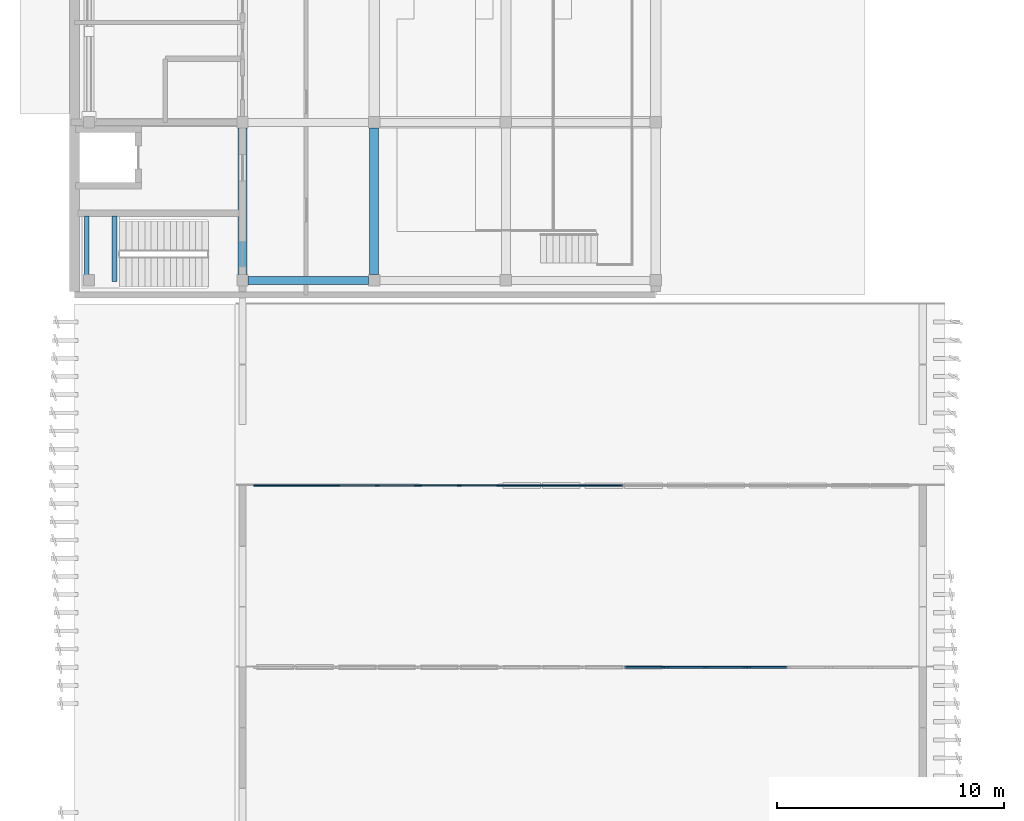
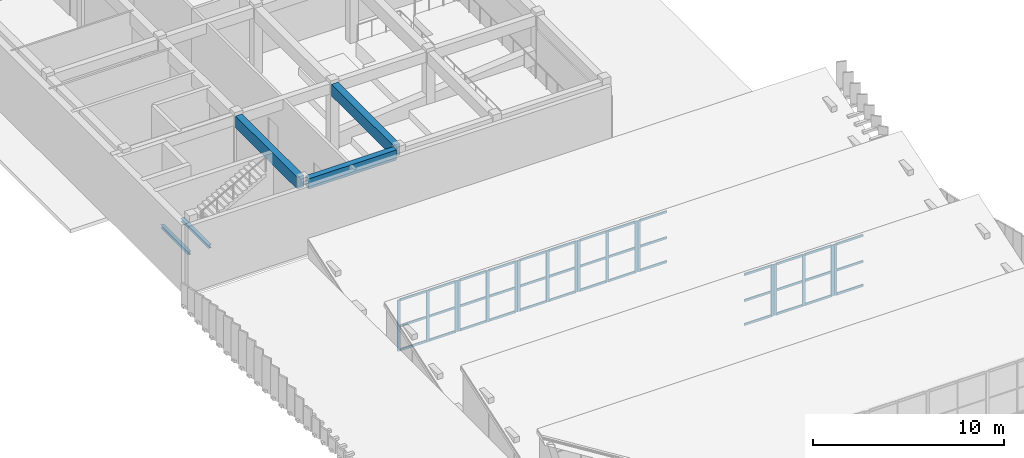
# One storey, part 9 of 45: 57 members, 5 beams, 8 elements without a shape of their own.
"""IFC4 building model written with IfcOpenShell, lengths in metres."""

from ifc_helpers import new_model, si_unit, direction, frame, origin, origin_2d, place, context, subcontext, project, spatial, rectangle, i_section, extrude, material, layer, layer_set, material_profile, profile_set, type_object, element, aggregate, save


model = new_model("IFC4")

# Units and contexts
model_context = context("Model", 3, precision=1e-05, world=origin(), true_north=direction((0.0, 1.0)))
body_context = subcontext(model_context, "Body", "Model", "MODEL_VIEW")
ifc_project = project(units=[si_unit("LENGTHUNIT", "METRE"), si_unit("AREAUNIT", "SQUARE_METRE"), si_unit("VOLUMEUNIT", "CUBIC_METRE"), si_unit("PLANEANGLEUNIT", "RADIAN"), si_unit("MASSUNIT", "GRAM", prefix="KILO")], contexts=[model_context])

# Site, building, storey
site_placement = place(None, origin())
site = spatial("IfcSite", under=ifc_project, at=site_placement, CompositionType="ELEMENT")
building_placement = place(site_placement, origin())
building = spatial("IfcBuilding", under=site, at=building_placement, Name="Cinchona Park Media Centre", CompositionType="ELEMENT")
storey_placement = place(building_placement, frame((0.0, 0.0, 20.39990234375)))
storey = spatial("IfcBuildingStorey", under=building, at=storey_placement, Name="L04", CompositionType="ELEMENT", Elevation=20.39990234375)

# Beams
ifc_material_1 = material(Name="Concrete C35/45", Category="concrete")
ifc_material_profile_1 = material_profile(ifc_material_1, rectangle(XDim=0.39990234375, YDim=0.75, at=origin_2d()), Name="RB 400X750")
ifc_profile_set_1 = profile_set([ifc_material_profile_1], Name="Concrete C35/45")
beam_type_1 = type_object("IfcBeamType", Name="BEAM-B01-RB400X750", PredefinedType="BEAM", material=ifc_profile_set_1)
for number, where, z_axis, x_axis, name in (
    (1, (15.39990234375, 64.889892578125, 3.905029296875), (0.0, 1.0, 0.0), (-1.0, 0.0, 0.0), "Girder B01 L04"),
    (2, (21.199951171875, 64.889892578125, 3.905029296875), (0.0, 1.0, 0.0), (-1.0, 0.0, 0.0), "Girder B01 L04"),
):
    element("IfcBeam", number, at=place(storey_placement, frame(where, z_axis=z_axis, x_axis=x_axis)), inside=storey, type_object=beam_type_1, Name=name, PredefinedType="BEAM", context=body_context, shape_type="SweptSolid", body=[
        extrude(rectangle(XDim=0.39990234375, YDim=0.75, at=origin_2d()), origin(), (0.0, 0.0, 1.0), 6.460205078125),
    ])
ifc_material_2 = material(Name="Concrete C35/45", Category="concrete")
ifc_material_profile_2 = material_profile(ifc_material_2, rectangle(XDim=0.35009765625, YDim=0.64990234375, at=origin_2d()), Name="RB 350X650")
ifc_profile_set_2 = profile_set([ifc_material_profile_2], Name="Concrete C35/45")
beam_type_2 = type_object("IfcBeamType", Name="BEAM-B04-RB350X650", PredefinedType="BEAM", material=ifc_profile_set_2)
beam_placement = place(storey_placement, frame((15.64990234375, 64.639892578125, 3.955078125), z_axis=(1.0, 0.0, 0.0), x_axis=(0.0, 1.0, 0.0)))
element("IfcBeam", 3, at=beam_placement, inside=storey, type_object=beam_type_2, Name="Beam B04 L04", PredefinedType="BEAM", context=body_context, shape_type="SweptSolid", body=[
    extrude(rectangle(XDim=0.35009765625, YDim=0.64990234375, at=origin_2d()), origin(), (0.0, 0.0, 1.0), 5.300048828125),
])
ifc_material_3 = material(Name="Steel S355", Category="steel")
ifc_material_profile_3 = material_profile(ifc_material_3, i_section(OverallWidth=0.202880859375, OverallDepth=0.202880859375, WebThickness=0.007080078125, FlangeThickness=0.010986328125, at=origin_2d()), Name="W200X46")
ifc_profile_set_3 = profile_set([ifc_material_profile_3], Name="Steel S355")
beam_type_3 = type_object("IfcBeamType", Name="BEAM-B10-W200X46", PredefinedType="BEAM", material=ifc_profile_set_3)
for number, where, z_axis, x_axis, name in (
    (4, (8.5400390625, 67.47509765625, 1.95361328125), (0.0, -1.0, 0.0), (1.0, 0.0, 0.0), "Stair Landing Bearer Beam B10 ST3 L04"),
    (5, (9.760009765625, 67.47509765625, 1.95361328125), (0.0, -1.0, 0.0), (1.0, 0.0, 0.0), "Stair Landing Bearer Beam B10 ST3 L04"),
):
    element("IfcBeam", number, at=place(storey_placement, frame(where, z_axis=z_axis, x_axis=x_axis)), inside=storey, type_object=beam_type_3, Name=name, PredefinedType="BEAM", context=body_context, shape_type="SweptSolid", body=[
        extrude(i_section(OverallWidth=0.202880859375, OverallDepth=0.202880859375, WebThickness=0.007080078125, FlangeThickness=0.010986328125, at=origin_2d()), origin(), (0.0, 0.0, 1.0), 2.875),
    ])

# Curtain wall, member
ifc_material_4 = material(Name="Aluminium Curtain Wall Framing", Category="aluminium")
ifc_layer = layer(ifc_material_4, 0.31494140625)
ifc_layer_set = layer_set([ifc_layer], Name="Aluminium Curtain Wall Framing")
curtain_wall_type = type_object("IfcCurtainWallType", Name="CW-CW10", PredefinedType="USERDEFINED", material=ifc_layer_set)
curtain_wall_1_placement = place(storey_placement, origin())
curtain_wall_1 = element("IfcCurtainWall", 6, at=curtain_wall_1_placement, inside=storey, type_object=curtain_wall_type, Name="North-Light Sawtooth Clerestory V1 Bay 5.2 CW10 L04", ObjectType="UNITISED CURTAIN WALL", PredefinedType="USERDEFINED")
ifc_material_5 = material(Name="Anodised Aluminium Alloy 6063-T6", Category="aluminium")
ifc_material_profile_4 = material_profile(ifc_material_5, rectangle(XDim=0.070068359375, YDim=0.179931640625, at=origin_2d()), Name="MUL-70X180")
ifc_profile_set_4 = profile_set([ifc_material_profile_4], Name="Anodised Aluminium Alloy 6063-T6")
member_type_1 = type_object("IfcMemberType", Name="MULLION-MUL02", PredefinedType="MULLION", material=ifc_profile_set_4)
member_1_placement = place(storey_placement, frame((37.695068359375, 47.60009765625, -0.619873046875), z_axis=(0.0, 0.0, 1.0), x_axis=(0.0, -1.0, 0.0)))
member_1 = element("IfcMember", 7, at=member_1_placement, type_object=member_type_1, Name="CW10 mullion 3", PredefinedType="MULLION", context=body_context, shape_type="SweptSolid", body=[
    extrude(rectangle(XDim=0.070068359375, YDim=0.179931640625, at=origin_2d()), origin(), (0.0, 0.0, 1.0), 3.257080078125),
])

# Curtain wall, members
curtain_wall_2_placement = place(storey_placement, origin())
curtain_wall_2 = element("IfcCurtainWall", 8, at=curtain_wall_2_placement, inside=storey, type_object=curtain_wall_type, Name="North-Light Sawtooth Clerestory V1 Bay 5.3 CW10 L04", ObjectType="UNITISED CURTAIN WALL", PredefinedType="USERDEFINED")
member_2_placement = place(storey_placement, frame((37.544921875, 47.60009765625, -0.619873046875), z_axis=(0.0, 0.0, 1.0), x_axis=(0.0, -1.0, 0.0)))
member_2 = element("IfcMember", 9, at=member_2_placement, type_object=member_type_1, Name="CW10 mullion 1", PredefinedType="MULLION", context=body_context, shape_type="SweptSolid", body=[
    extrude(rectangle(XDim=0.070068359375, YDim=0.179931640625, at=origin_2d()), origin(), (0.0, 0.0, 1.0), 3.257080078125),
])
member_3_placement = place(storey_placement, frame((35.81005859375, 47.60009765625, -0.619873046875), z_axis=(0.0, 0.0, 1.0), x_axis=(0.0, -1.0, 0.0)))
member_3 = element("IfcMember", 10, at=member_3_placement, type_object=member_type_1, Name="CW10 mullion 2", PredefinedType="MULLION", context=body_context, shape_type="SweptSolid", body=[
    extrude(rectangle(XDim=0.070068359375, YDim=0.179931640625, at=origin_2d()), origin(), (0.0, 0.0, 1.0), 3.257080078125),
])
member_4_placement = place(storey_placement, frame((34.074951171875, 47.60009765625, -0.619873046875), z_axis=(0.0, 0.0, 1.0), x_axis=(0.0, -1.0, 0.0)))
member_4 = element("IfcMember", 11, at=member_4_placement, type_object=member_type_1, Name="CW10 mullion 3", PredefinedType="MULLION", context=body_context, shape_type="SweptSolid", body=[
    extrude(rectangle(XDim=0.070068359375, YDim=0.179931640625, at=origin_2d()), origin(), (0.0, 0.0, 1.0), 3.257080078125),
])

# Curtain wall, member
curtain_wall_3_placement = place(storey_placement, origin())
curtain_wall_3 = element("IfcCurtainWall", 12, at=curtain_wall_3_placement, inside=storey, type_object=curtain_wall_type, Name="North-Light Sawtooth Clerestory V1 Bay 5.4 CW10 L04", ObjectType="UNITISED CURTAIN WALL", PredefinedType="USERDEFINED")
member_5_placement = place(storey_placement, frame((33.925048828125, 47.60009765625, -0.619873046875), z_axis=(0.0, 0.0, 1.0), x_axis=(0.0, -1.0, 0.0)))
member_5 = element("IfcMember", 13, at=member_5_placement, type_object=member_type_1, Name="CW10 mullion 1", PredefinedType="MULLION", context=body_context, shape_type="SweptSolid", body=[
    extrude(rectangle(XDim=0.070068359375, YDim=0.179931640625, at=origin_2d()), origin(), (0.0, 0.0, 1.0), 3.257080078125),
])

curtain_wall_4_placement = place(storey_placement, origin())
curtain_wall_4 = element("IfcCurtainWall", 14, at=curtain_wall_4_placement, inside=storey, type_object=curtain_wall_type, Name="North-Light Sawtooth Clerestory V1 Bay 6.4 CW10 L04", ObjectType="UNITISED CURTAIN WALL", PredefinedType="USERDEFINED")
member_6_placement = place(storey_placement, frame((30.455078125, 55.60009765625, -1.419921875), z_axis=(0.0, 0.0, 1.0), x_axis=(0.0, -1.0, 0.0)))
member_6 = element("IfcMember", 15, at=member_6_placement, type_object=member_type_1, Name="CW10 mullion 3", PredefinedType="MULLION", context=body_context, shape_type="SweptSolid", body=[
    extrude(rectangle(XDim=0.070068359375, YDim=0.179931640625, at=origin_2d()), origin(), (0.0, 0.0, 1.0), 3.257080078125),
])

# Curtain wall, members
curtain_wall_5_placement = place(storey_placement, origin())
curtain_wall_5 = element("IfcCurtainWall", 16, at=curtain_wall_5_placement, inside=storey, type_object=curtain_wall_type, Name="North-Light Sawtooth Clerestory V1 Bay 6.5 CW10 L04", ObjectType="UNITISED CURTAIN WALL", PredefinedType="USERDEFINED")
member_7_placement = place(storey_placement, frame((30.304931640625, 55.60009765625, -1.419921875), z_axis=(0.0, 0.0, 1.0), x_axis=(0.0, -1.0, 0.0)))
member_7 = element("IfcMember", 17, at=member_7_placement, type_object=member_type_1, Name="CW10 mullion 1", PredefinedType="MULLION", context=body_context, shape_type="SweptSolid", body=[
    extrude(rectangle(XDim=0.070068359375, YDim=0.179931640625, at=origin_2d()), origin(), (0.0, 0.0, 1.0), 3.257080078125),
])
member_8_placement = place(storey_placement, frame((28.570068359375, 55.60009765625, -1.419921875), z_axis=(0.0, 0.0, 1.0), x_axis=(0.0, -1.0, 0.0)))
member_8 = element("IfcMember", 18, at=member_8_placement, type_object=member_type_1, Name="CW10 mullion 2", PredefinedType="MULLION", context=body_context, shape_type="SweptSolid", body=[
    extrude(rectangle(XDim=0.070068359375, YDim=0.179931640625, at=origin_2d()), origin(), (0.0, 0.0, 1.0), 3.257080078125),
])
member_9_placement = place(storey_placement, frame((26.8349609375, 55.60009765625, -1.419921875), z_axis=(0.0, 0.0, 1.0), x_axis=(0.0, -1.0, 0.0)))
member_9 = element("IfcMember", 19, at=member_9_placement, type_object=member_type_1, Name="CW10 mullion 3", PredefinedType="MULLION", context=body_context, shape_type="SweptSolid", body=[
    extrude(rectangle(XDim=0.070068359375, YDim=0.179931640625, at=origin_2d()), origin(), (0.0, 0.0, 1.0), 3.257080078125),
])

curtain_wall_6_placement = place(storey_placement, origin())
curtain_wall_6 = element("IfcCurtainWall", 20, at=curtain_wall_6_placement, inside=storey, type_object=curtain_wall_type, Name="North-Light Sawtooth Clerestory V1 Bay 6.6 CW10 L04", ObjectType="UNITISED CURTAIN WALL", PredefinedType="USERDEFINED")
member_10_placement = place(storey_placement, frame((26.68505859375, 55.60009765625, -1.419921875), z_axis=(0.0, 0.0, 1.0), x_axis=(0.0, -1.0, 0.0)))
member_10 = element("IfcMember", 21, at=member_10_placement, type_object=member_type_1, Name="CW10 mullion 1", PredefinedType="MULLION", context=body_context, shape_type="SweptSolid", body=[
    extrude(rectangle(XDim=0.070068359375, YDim=0.179931640625, at=origin_2d()), origin(), (0.0, 0.0, 1.0), 3.257080078125),
])
member_11_placement = place(storey_placement, frame((24.949951171875, 55.60009765625, -1.419921875), z_axis=(0.0, 0.0, 1.0), x_axis=(0.0, -1.0, 0.0)))
member_11 = element("IfcMember", 22, at=member_11_placement, type_object=member_type_1, Name="CW10 mullion 2", PredefinedType="MULLION", context=body_context, shape_type="SweptSolid", body=[
    extrude(rectangle(XDim=0.070068359375, YDim=0.179931640625, at=origin_2d()), origin(), (0.0, 0.0, 1.0), 3.257080078125),
])
member_12_placement = place(storey_placement, frame((23.215087890625, 55.60009765625, -1.419921875), z_axis=(0.0, 0.0, 1.0), x_axis=(0.0, -1.0, 0.0)))
member_12 = element("IfcMember", 23, at=member_12_placement, type_object=member_type_1, Name="CW10 mullion 3", PredefinedType="MULLION", context=body_context, shape_type="SweptSolid", body=[
    extrude(rectangle(XDim=0.070068359375, YDim=0.179931640625, at=origin_2d()), origin(), (0.0, 0.0, 1.0), 3.257080078125),
])

curtain_wall_7_placement = place(storey_placement, origin())
curtain_wall_7 = element("IfcCurtainWall", 24, at=curtain_wall_7_placement, inside=storey, type_object=curtain_wall_type, Name="North-Light Sawtooth Clerestory V1 Bay 6.7 CW10 L04", ObjectType="UNITISED CURTAIN WALL", PredefinedType="USERDEFINED")
member_13_placement = place(storey_placement, frame((23.06494140625, 55.60009765625, -1.419921875), z_axis=(0.0, 0.0, 1.0), x_axis=(0.0, -1.0, 0.0)))
member_13 = element("IfcMember", 25, at=member_13_placement, type_object=member_type_1, Name="CW10 mullion 1", PredefinedType="MULLION", context=body_context, shape_type="SweptSolid", body=[
    extrude(rectangle(XDim=0.070068359375, YDim=0.179931640625, at=origin_2d()), origin(), (0.0, 0.0, 1.0), 3.257080078125),
])
member_14_placement = place(storey_placement, frame((21.330078125, 55.60009765625, -1.419921875), z_axis=(0.0, 0.0, 1.0), x_axis=(0.0, -1.0, 0.0)))
member_14 = element("IfcMember", 26, at=member_14_placement, type_object=member_type_1, Name="CW10 mullion 2", PredefinedType="MULLION", context=body_context, shape_type="SweptSolid", body=[
    extrude(rectangle(XDim=0.070068359375, YDim=0.179931640625, at=origin_2d()), origin(), (0.0, 0.0, 1.0), 3.257080078125),
])
member_15_placement = place(storey_placement, frame((19.594970703125, 55.60009765625, -1.419921875), z_axis=(0.0, 0.0, 1.0), x_axis=(0.0, -1.0, 0.0)))
member_15 = element("IfcMember", 27, at=member_15_placement, type_object=member_type_1, Name="CW10 mullion 3", PredefinedType="MULLION", context=body_context, shape_type="SweptSolid", body=[
    extrude(rectangle(XDim=0.070068359375, YDim=0.179931640625, at=origin_2d()), origin(), (0.0, 0.0, 1.0), 3.257080078125),
])

curtain_wall_8_placement = place(storey_placement, origin())
curtain_wall_8 = element("IfcCurtainWall", 28, at=curtain_wall_8_placement, inside=storey, type_object=curtain_wall_type, Name="North-Light Sawtooth Clerestory V1 Bay 6.8 CW10 L04", ObjectType="UNITISED CURTAIN WALL", PredefinedType="USERDEFINED")
member_16_placement = place(storey_placement, frame((19.445068359375, 55.60009765625, -1.419921875), z_axis=(0.0, 0.0, 1.0), x_axis=(0.0, -1.0, 0.0)))
member_16 = element("IfcMember", 29, at=member_16_placement, type_object=member_type_1, Name="CW10 mullion 1", PredefinedType="MULLION", context=body_context, shape_type="SweptSolid", body=[
    extrude(rectangle(XDim=0.070068359375, YDim=0.179931640625, at=origin_2d()), origin(), (0.0, 0.0, 1.0), 3.257080078125),
])
member_17_placement = place(storey_placement, frame((17.7099609375, 55.60009765625, -1.419921875), z_axis=(0.0, 0.0, 1.0), x_axis=(0.0, -1.0, 0.0)))
member_17 = element("IfcMember", 30, at=member_17_placement, type_object=member_type_1, Name="CW10 mullion 2", PredefinedType="MULLION", context=body_context, shape_type="SweptSolid", body=[
    extrude(rectangle(XDim=0.070068359375, YDim=0.179931640625, at=origin_2d()), origin(), (0.0, 0.0, 1.0), 3.257080078125),
])
member_18_placement = place(storey_placement, frame((15.97509765625, 55.60009765625, -1.419921875), z_axis=(0.0, 0.0, 1.0), x_axis=(0.0, -1.0, 0.0)))
member_18 = element("IfcMember", 31, at=member_18_placement, type_object=member_type_1, Name="CW10 mullion 3", PredefinedType="MULLION", context=body_context, shape_type="SweptSolid", body=[
    extrude(rectangle(XDim=0.070068359375, YDim=0.179931640625, at=origin_2d()), origin(), (0.0, 0.0, 1.0), 3.257080078125),
])

# Member
ifc_material_6 = material(Name="Anodised Aluminium Alloy 6063-T6", Category="aluminium")
ifc_material_profile_5 = material_profile(ifc_material_6, rectangle(XDim=0.070068359375, YDim=0.139892578125, at=origin_2d()), Name="TRN-70X140")
ifc_profile_set_5 = profile_set([ifc_material_profile_5], Name="Anodised Aluminium Alloy 6063-T6")
member_type_2 = type_object("IfcMemberType", Name="TRANSOM-TRN02", PredefinedType="USERDEFINED", material=ifc_profile_set_5)
member_19_placement = place(storey_placement, frame((39.39501953125, 47.60009765625, -0.5849609375), z_axis=(-1.0, 0.0, 0.0), x_axis=(0.0, -1.0, 0.0)))
member_19 = element("IfcMember", 32, at=member_19_placement, type_object=member_type_2, Name="CW10 transom 2.1", ObjectType="TRANSOM", PredefinedType="USERDEFINED", context=body_context, shape_type="SweptSolid", body=[
    extrude(rectangle(XDim=0.070068359375, YDim=0.139892578125, at=origin_2d()), origin(), (0.0, 0.0, 1.0), 1.6650390625),
])

member_20_placement = place(storey_placement, frame((39.39501953125, 47.60009765625, 0.943115234375), z_axis=(-1.0, 0.0, 0.0), x_axis=(0.0, -1.0, 0.0)))
member_20 = element("IfcMember", 33, at=member_20_placement, type_object=member_type_2, Name="CW10 transom 2.2", ObjectType="TRANSOM", PredefinedType="USERDEFINED", context=body_context, shape_type="SweptSolid", body=[
    extrude(rectangle(XDim=0.070068359375, YDim=0.139892578125, at=origin_2d()), origin(), (0.0, 0.0, 1.0), 1.6650390625),
])

member_21_placement = place(storey_placement, frame((39.39501953125, 47.60009765625, 2.60205078125), z_axis=(-1.0, 0.0, 0.0), x_axis=(0.0, -1.0, 0.0)))
member_21 = element("IfcMember", 34, at=member_21_placement, type_object=member_type_2, Name="CW10 transom 2.3", ObjectType="TRANSOM", PredefinedType="USERDEFINED", context=body_context, shape_type="SweptSolid", body=[
    extrude(rectangle(XDim=0.070068359375, YDim=0.139892578125, at=origin_2d()), origin(), (0.0, 0.0, 1.0), 1.6650390625),
])

aggregate(curtain_wall_1, [member_1, member_19, member_20, member_21])

member_22_placement = place(storey_placement, frame((37.510009765625, 47.60009765625, -0.5849609375), z_axis=(-1.0, 0.0, 0.0), x_axis=(0.0, -1.0, 0.0)))
member_22 = element("IfcMember", 35, at=member_22_placement, type_object=member_type_2, Name="CW10 transom 1.1", ObjectType="TRANSOM", PredefinedType="USERDEFINED", context=body_context, shape_type="SweptSolid", body=[
    extrude(rectangle(XDim=0.070068359375, YDim=0.139892578125, at=origin_2d()), origin(), (0.0, 0.0, 1.0), 1.6650390625),
])

member_23_placement = place(storey_placement, frame((37.510009765625, 47.60009765625, 0.943115234375), z_axis=(-1.0, 0.0, 0.0), x_axis=(0.0, -1.0, 0.0)))
member_23 = element("IfcMember", 36, at=member_23_placement, type_object=member_type_2, Name="CW10 transom 1.2", ObjectType="TRANSOM", PredefinedType="USERDEFINED", context=body_context, shape_type="SweptSolid", body=[
    extrude(rectangle(XDim=0.070068359375, YDim=0.139892578125, at=origin_2d()), origin(), (0.0, 0.0, 1.0), 1.6650390625),
])

member_24_placement = place(storey_placement, frame((37.510009765625, 47.60009765625, 2.60205078125), z_axis=(-1.0, 0.0, 0.0), x_axis=(0.0, -1.0, 0.0)))
member_24 = element("IfcMember", 37, at=member_24_placement, type_object=member_type_2, Name="CW10 transom 1.3", ObjectType="TRANSOM", PredefinedType="USERDEFINED", context=body_context, shape_type="SweptSolid", body=[
    extrude(rectangle(XDim=0.070068359375, YDim=0.139892578125, at=origin_2d()), origin(), (0.0, 0.0, 1.0), 1.6650390625),
])

member_25_placement = place(storey_placement, frame((35.77490234375, 47.60009765625, -0.5849609375), z_axis=(-1.0, 0.0, 0.0), x_axis=(0.0, -1.0, 0.0)))
member_25 = element("IfcMember", 38, at=member_25_placement, type_object=member_type_2, Name="CW10 transom 2.1", ObjectType="TRANSOM", PredefinedType="USERDEFINED", context=body_context, shape_type="SweptSolid", body=[
    extrude(rectangle(XDim=0.070068359375, YDim=0.139892578125, at=origin_2d()), origin(), (0.0, 0.0, 1.0), 1.664794921875),
])

member_26_placement = place(storey_placement, frame((35.77490234375, 47.60009765625, 0.943115234375), z_axis=(-1.0, 0.0, 0.0), x_axis=(0.0, -1.0, 0.0)))
member_26 = element("IfcMember", 39, at=member_26_placement, type_object=member_type_2, Name="CW10 transom 2.2", ObjectType="TRANSOM", PredefinedType="USERDEFINED", context=body_context, shape_type="SweptSolid", body=[
    extrude(rectangle(XDim=0.070068359375, YDim=0.139892578125, at=origin_2d()), origin(), (0.0, 0.0, 1.0), 1.664794921875),
])

member_27_placement = place(storey_placement, frame((35.77490234375, 47.60009765625, 2.60205078125), z_axis=(-1.0, 0.0, 0.0), x_axis=(0.0, -1.0, 0.0)))
member_27 = element("IfcMember", 40, at=member_27_placement, type_object=member_type_2, Name="CW10 transom 2.3", ObjectType="TRANSOM", PredefinedType="USERDEFINED", context=body_context, shape_type="SweptSolid", body=[
    extrude(rectangle(XDim=0.070068359375, YDim=0.139892578125, at=origin_2d()), origin(), (0.0, 0.0, 1.0), 1.664794921875),
])

aggregate(curtain_wall_2, [member_2, member_3, member_4, member_22, member_23, member_24, member_25, member_26, member_27])

member_28_placement = place(storey_placement, frame((33.889892578125, 47.60009765625, -0.5849609375), z_axis=(-1.0, 0.0, 0.0), x_axis=(0.0, -1.0, 0.0)))
member_28 = element("IfcMember", 41, at=member_28_placement, type_object=member_type_2, Name="CW10 transom 1.1", ObjectType="TRANSOM", PredefinedType="USERDEFINED", context=body_context, shape_type="SweptSolid", body=[
    extrude(rectangle(XDim=0.070068359375, YDim=0.139892578125, at=origin_2d()), origin(), (0.0, 0.0, 1.0), 1.664794921875),
])

member_29_placement = place(storey_placement, frame((33.889892578125, 47.60009765625, 0.943115234375), z_axis=(-1.0, 0.0, 0.0), x_axis=(0.0, -1.0, 0.0)))
member_29 = element("IfcMember", 42, at=member_29_placement, type_object=member_type_2, Name="CW10 transom 1.2", ObjectType="TRANSOM", PredefinedType="USERDEFINED", context=body_context, shape_type="SweptSolid", body=[
    extrude(rectangle(XDim=0.070068359375, YDim=0.139892578125, at=origin_2d()), origin(), (0.0, 0.0, 1.0), 1.664794921875),
])

member_30_placement = place(storey_placement, frame((33.889892578125, 47.60009765625, 2.60205078125), z_axis=(-1.0, 0.0, 0.0), x_axis=(0.0, -1.0, 0.0)))
member_30 = element("IfcMember", 43, at=member_30_placement, type_object=member_type_2, Name="CW10 transom 1.3", ObjectType="TRANSOM", PredefinedType="USERDEFINED", context=body_context, shape_type="SweptSolid", body=[
    extrude(rectangle(XDim=0.070068359375, YDim=0.139892578125, at=origin_2d()), origin(), (0.0, 0.0, 1.0), 1.664794921875),
])

aggregate(curtain_wall_3, [member_5, member_28, member_29, member_30])

member_31_placement = place(storey_placement, frame((32.155029296875, 55.60009765625, -1.385009765625), z_axis=(-1.0, 0.0, 0.0), x_axis=(0.0, -1.0, 0.0)))
member_31 = element("IfcMember", 44, at=member_31_placement, type_object=member_type_2, Name="CW10 transom 2.1", ObjectType="TRANSOM", PredefinedType="USERDEFINED", context=body_context, shape_type="SweptSolid", body=[
    extrude(rectangle(XDim=0.070068359375, YDim=0.139892578125, at=origin_2d()), origin(), (0.0, 0.0, 1.0), 1.6650390625),
])

member_32_placement = place(storey_placement, frame((32.155029296875, 55.60009765625, 0.14306640625), z_axis=(-1.0, 0.0, 0.0), x_axis=(0.0, -1.0, 0.0)))
member_32 = element("IfcMember", 45, at=member_32_placement, type_object=member_type_2, Name="CW10 transom 2.2", ObjectType="TRANSOM", PredefinedType="USERDEFINED", context=body_context, shape_type="SweptSolid", body=[
    extrude(rectangle(XDim=0.070068359375, YDim=0.139892578125, at=origin_2d()), origin(), (0.0, 0.0, 1.0), 1.6650390625),
])

member_33_placement = place(storey_placement, frame((32.155029296875, 55.60009765625, 1.802001953125), z_axis=(-1.0, 0.0, 0.0), x_axis=(0.0, -1.0, 0.0)))
member_33 = element("IfcMember", 46, at=member_33_placement, type_object=member_type_2, Name="CW10 transom 2.3", ObjectType="TRANSOM", PredefinedType="USERDEFINED", context=body_context, shape_type="SweptSolid", body=[
    extrude(rectangle(XDim=0.070068359375, YDim=0.139892578125, at=origin_2d()), origin(), (0.0, 0.0, 1.0), 1.6650390625),
])

aggregate(curtain_wall_4, [member_6, member_31, member_32, member_33])

member_34_placement = place(storey_placement, frame((30.27001953125, 55.60009765625, -1.385009765625), z_axis=(-1.0, 0.0, 0.0), x_axis=(0.0, -1.0, 0.0)))
member_34 = element("IfcMember", 47, at=member_34_placement, type_object=member_type_2, Name="CW10 transom 1.1", ObjectType="TRANSOM", PredefinedType="USERDEFINED", context=body_context, shape_type="SweptSolid", body=[
    extrude(rectangle(XDim=0.070068359375, YDim=0.139892578125, at=origin_2d()), origin(), (0.0, 0.0, 1.0), 1.6650390625),
])

member_35_placement = place(storey_placement, frame((30.27001953125, 55.60009765625, 0.14306640625), z_axis=(-1.0, 0.0, 0.0), x_axis=(0.0, -1.0, 0.0)))
member_35 = element("IfcMember", 48, at=member_35_placement, type_object=member_type_2, Name="CW10 transom 1.2", ObjectType="TRANSOM", PredefinedType="USERDEFINED", context=body_context, shape_type="SweptSolid", body=[
    extrude(rectangle(XDim=0.070068359375, YDim=0.139892578125, at=origin_2d()), origin(), (0.0, 0.0, 1.0), 1.6650390625),
])

member_36_placement = place(storey_placement, frame((30.27001953125, 55.60009765625, 1.802001953125), z_axis=(-1.0, 0.0, 0.0), x_axis=(0.0, -1.0, 0.0)))
member_36 = element("IfcMember", 49, at=member_36_placement, type_object=member_type_2, Name="CW10 transom 1.3", ObjectType="TRANSOM", PredefinedType="USERDEFINED", context=body_context, shape_type="SweptSolid", body=[
    extrude(rectangle(XDim=0.070068359375, YDim=0.139892578125, at=origin_2d()), origin(), (0.0, 0.0, 1.0), 1.6650390625),
])

member_37_placement = place(storey_placement, frame((28.534912109375, 55.60009765625, -1.385009765625), z_axis=(-1.0, 0.0, 0.0), x_axis=(0.0, -1.0, 0.0)))
member_37 = element("IfcMember", 50, at=member_37_placement, type_object=member_type_2, Name="CW10 transom 2.1", ObjectType="TRANSOM", PredefinedType="USERDEFINED", context=body_context, shape_type="SweptSolid", body=[
    extrude(rectangle(XDim=0.070068359375, YDim=0.139892578125, at=origin_2d()), origin(), (0.0, 0.0, 1.0), 1.664794921875),
])

member_38_placement = place(storey_placement, frame((28.534912109375, 55.60009765625, 0.14306640625), z_axis=(-1.0, 0.0, 0.0), x_axis=(0.0, -1.0, 0.0)))
member_38 = element("IfcMember", 51, at=member_38_placement, type_object=member_type_2, Name="CW10 transom 2.2", ObjectType="TRANSOM", PredefinedType="USERDEFINED", context=body_context, shape_type="SweptSolid", body=[
    extrude(rectangle(XDim=0.070068359375, YDim=0.139892578125, at=origin_2d()), origin(), (0.0, 0.0, 1.0), 1.664794921875),
])

member_39_placement = place(storey_placement, frame((28.534912109375, 55.60009765625, 1.802001953125), z_axis=(-1.0, 0.0, 0.0), x_axis=(0.0, -1.0, 0.0)))
member_39 = element("IfcMember", 52, at=member_39_placement, type_object=member_type_2, Name="CW10 transom 2.3", ObjectType="TRANSOM", PredefinedType="USERDEFINED", context=body_context, shape_type="SweptSolid", body=[
    extrude(rectangle(XDim=0.070068359375, YDim=0.139892578125, at=origin_2d()), origin(), (0.0, 0.0, 1.0), 1.664794921875),
])

aggregate(curtain_wall_5, [member_7, member_8, member_9, member_34, member_35, member_36, member_37, member_38, member_39])

member_40_placement = place(storey_placement, frame((26.64990234375, 55.60009765625, -1.385009765625), z_axis=(-1.0, 0.0, 0.0), x_axis=(0.0, -1.0, 0.0)))
member_40 = element("IfcMember", 53, at=member_40_placement, type_object=member_type_2, Name="CW10 transom 1.1", ObjectType="TRANSOM", PredefinedType="USERDEFINED", context=body_context, shape_type="SweptSolid", body=[
    extrude(rectangle(XDim=0.070068359375, YDim=0.139892578125, at=origin_2d()), origin(), (0.0, 0.0, 1.0), 1.664794921875),
])

member_41_placement = place(storey_placement, frame((26.64990234375, 55.60009765625, 0.14306640625), z_axis=(-1.0, 0.0, 0.0), x_axis=(0.0, -1.0, 0.0)))
member_41 = element("IfcMember", 54, at=member_41_placement, type_object=member_type_2, Name="CW10 transom 1.2", ObjectType="TRANSOM", PredefinedType="USERDEFINED", context=body_context, shape_type="SweptSolid", body=[
    extrude(rectangle(XDim=0.070068359375, YDim=0.139892578125, at=origin_2d()), origin(), (0.0, 0.0, 1.0), 1.664794921875),
])

member_42_placement = place(storey_placement, frame((26.64990234375, 55.60009765625, 1.802001953125), z_axis=(-1.0, 0.0, 0.0), x_axis=(0.0, -1.0, 0.0)))
member_42 = element("IfcMember", 55, at=member_42_placement, type_object=member_type_2, Name="CW10 transom 1.3", ObjectType="TRANSOM", PredefinedType="USERDEFINED", context=body_context, shape_type="SweptSolid", body=[
    extrude(rectangle(XDim=0.070068359375, YDim=0.139892578125, at=origin_2d()), origin(), (0.0, 0.0, 1.0), 1.664794921875),
])

member_43_placement = place(storey_placement, frame((24.9150390625, 55.60009765625, -1.385009765625), z_axis=(-1.0, 0.0, 0.0), x_axis=(0.0, -1.0, 0.0)))
member_43 = element("IfcMember", 56, at=member_43_placement, type_object=member_type_2, Name="CW10 transom 2.1", ObjectType="TRANSOM", PredefinedType="USERDEFINED", context=body_context, shape_type="SweptSolid", body=[
    extrude(rectangle(XDim=0.070068359375, YDim=0.139892578125, at=origin_2d()), origin(), (0.0, 0.0, 1.0), 1.6650390625),
])

member_44_placement = place(storey_placement, frame((24.9150390625, 55.60009765625, 0.14306640625), z_axis=(-1.0, 0.0, 0.0), x_axis=(0.0, -1.0, 0.0)))
member_44 = element("IfcMember", 57, at=member_44_placement, type_object=member_type_2, Name="CW10 transom 2.2", ObjectType="TRANSOM", PredefinedType="USERDEFINED", context=body_context, shape_type="SweptSolid", body=[
    extrude(rectangle(XDim=0.070068359375, YDim=0.139892578125, at=origin_2d()), origin(), (0.0, 0.0, 1.0), 1.6650390625),
])

member_45_placement = place(storey_placement, frame((24.9150390625, 55.60009765625, 1.802001953125), z_axis=(-1.0, 0.0, 0.0), x_axis=(0.0, -1.0, 0.0)))
member_45 = element("IfcMember", 58, at=member_45_placement, type_object=member_type_2, Name="CW10 transom 2.3", ObjectType="TRANSOM", PredefinedType="USERDEFINED", context=body_context, shape_type="SweptSolid", body=[
    extrude(rectangle(XDim=0.070068359375, YDim=0.139892578125, at=origin_2d()), origin(), (0.0, 0.0, 1.0), 1.6650390625),
])

aggregate(curtain_wall_6, [member_10, member_11, member_12, member_40, member_41, member_42, member_43, member_44, member_45])

member_46_placement = place(storey_placement, frame((23.030029296875, 55.60009765625, -1.385009765625), z_axis=(-1.0, 0.0, 0.0), x_axis=(0.0, -1.0, 0.0)))
member_46 = element("IfcMember", 59, at=member_46_placement, type_object=member_type_2, Name="CW10 transom 1.1", ObjectType="TRANSOM", PredefinedType="USERDEFINED", context=body_context, shape_type="SweptSolid", body=[
    extrude(rectangle(XDim=0.070068359375, YDim=0.139892578125, at=origin_2d()), origin(), (0.0, 0.0, 1.0), 1.6650390625),
])

member_47_placement = place(storey_placement, frame((23.030029296875, 55.60009765625, 0.14306640625), z_axis=(-1.0, 0.0, 0.0), x_axis=(0.0, -1.0, 0.0)))
member_47 = element("IfcMember", 60, at=member_47_placement, type_object=member_type_2, Name="CW10 transom 1.2", ObjectType="TRANSOM", PredefinedType="USERDEFINED", context=body_context, shape_type="SweptSolid", body=[
    extrude(rectangle(XDim=0.070068359375, YDim=0.139892578125, at=origin_2d()), origin(), (0.0, 0.0, 1.0), 1.6650390625),
])

member_48_placement = place(storey_placement, frame((23.030029296875, 55.60009765625, 1.802001953125), z_axis=(-1.0, 0.0, 0.0), x_axis=(0.0, -1.0, 0.0)))
member_48 = element("IfcMember", 61, at=member_48_placement, type_object=member_type_2, Name="CW10 transom 1.3", ObjectType="TRANSOM", PredefinedType="USERDEFINED", context=body_context, shape_type="SweptSolid", body=[
    extrude(rectangle(XDim=0.070068359375, YDim=0.139892578125, at=origin_2d()), origin(), (0.0, 0.0, 1.0), 1.6650390625),
])

member_49_placement = place(storey_placement, frame((21.294921875, 55.60009765625, -1.385009765625), z_axis=(-1.0, 0.0, 0.0), x_axis=(0.0, -1.0, 0.0)))
member_49 = element("IfcMember", 62, at=member_49_placement, type_object=member_type_2, Name="CW10 transom 2.1", ObjectType="TRANSOM", PredefinedType="USERDEFINED", context=body_context, shape_type="SweptSolid", body=[
    extrude(rectangle(XDim=0.070068359375, YDim=0.139892578125, at=origin_2d()), origin(), (0.0, 0.0, 1.0), 1.6650390625),
])

member_50_placement = place(storey_placement, frame((21.294921875, 55.60009765625, 0.14306640625), z_axis=(-1.0, 0.0, 0.0), x_axis=(0.0, -1.0, 0.0)))
member_50 = element("IfcMember", 63, at=member_50_placement, type_object=member_type_2, Name="CW10 transom 2.2", ObjectType="TRANSOM", PredefinedType="USERDEFINED", context=body_context, shape_type="SweptSolid", body=[
    extrude(rectangle(XDim=0.070068359375, YDim=0.139892578125, at=origin_2d()), origin(), (0.0, 0.0, 1.0), 1.6650390625),
])

member_51_placement = place(storey_placement, frame((21.294921875, 55.60009765625, 1.802001953125), z_axis=(-1.0, 0.0, 0.0), x_axis=(0.0, -1.0, 0.0)))
member_51 = element("IfcMember", 64, at=member_51_placement, type_object=member_type_2, Name="CW10 transom 2.3", ObjectType="TRANSOM", PredefinedType="USERDEFINED", context=body_context, shape_type="SweptSolid", body=[
    extrude(rectangle(XDim=0.070068359375, YDim=0.139892578125, at=origin_2d()), origin(), (0.0, 0.0, 1.0), 1.6650390625),
])

aggregate(curtain_wall_7, [member_13, member_14, member_15, member_46, member_47, member_48, member_49, member_50, member_51])

member_52_placement = place(storey_placement, frame((19.409912109375, 55.60009765625, -1.385009765625), z_axis=(-1.0, 0.0, 0.0), x_axis=(0.0, -1.0, 0.0)))
member_52 = element("IfcMember", 65, at=member_52_placement, type_object=member_type_2, Name="CW10 transom 1.1", ObjectType="TRANSOM", PredefinedType="USERDEFINED", context=body_context, shape_type="SweptSolid", body=[
    extrude(rectangle(XDim=0.070068359375, YDim=0.139892578125, at=origin_2d()), origin(), (0.0, 0.0, 1.0), 1.664794921875),
])

member_53_placement = place(storey_placement, frame((19.409912109375, 55.60009765625, 0.14306640625), z_axis=(-1.0, 0.0, 0.0), x_axis=(0.0, -1.0, 0.0)))
member_53 = element("IfcMember", 66, at=member_53_placement, type_object=member_type_2, Name="CW10 transom 1.2", ObjectType="TRANSOM", PredefinedType="USERDEFINED", context=body_context, shape_type="SweptSolid", body=[
    extrude(rectangle(XDim=0.070068359375, YDim=0.139892578125, at=origin_2d()), origin(), (0.0, 0.0, 1.0), 1.664794921875),
])

member_54_placement = place(storey_placement, frame((19.409912109375, 55.60009765625, 1.802001953125), z_axis=(-1.0, 0.0, 0.0), x_axis=(0.0, -1.0, 0.0)))
member_54 = element("IfcMember", 67, at=member_54_placement, type_object=member_type_2, Name="CW10 transom 1.3", ObjectType="TRANSOM", PredefinedType="USERDEFINED", context=body_context, shape_type="SweptSolid", body=[
    extrude(rectangle(XDim=0.070068359375, YDim=0.139892578125, at=origin_2d()), origin(), (0.0, 0.0, 1.0), 1.664794921875),
])

member_55_placement = place(storey_placement, frame((17.675048828125, 55.60009765625, -1.385009765625), z_axis=(-1.0, 0.0, 0.0), x_axis=(0.0, -1.0, 0.0)))
member_55 = element("IfcMember", 68, at=member_55_placement, type_object=member_type_2, Name="CW10 transom 2.1", ObjectType="TRANSOM", PredefinedType="USERDEFINED", context=body_context, shape_type="SweptSolid", body=[
    extrude(rectangle(XDim=0.070068359375, YDim=0.139892578125, at=origin_2d()), origin(), (0.0, 0.0, 1.0), 1.6650390625),
])

member_56_placement = place(storey_placement, frame((17.675048828125, 55.60009765625, 0.14306640625), z_axis=(-1.0, 0.0, 0.0), x_axis=(0.0, -1.0, 0.0)))
member_56 = element("IfcMember", 69, at=member_56_placement, type_object=member_type_2, Name="CW10 transom 2.2", ObjectType="TRANSOM", PredefinedType="USERDEFINED", context=body_context, shape_type="SweptSolid", body=[
    extrude(rectangle(XDim=0.070068359375, YDim=0.139892578125, at=origin_2d()), origin(), (0.0, 0.0, 1.0), 1.6650390625),
])

member_57_placement = place(storey_placement, frame((17.675048828125, 55.60009765625, 1.802001953125), z_axis=(-1.0, 0.0, 0.0), x_axis=(0.0, -1.0, 0.0)))
member_57 = element("IfcMember", 70, at=member_57_placement, type_object=member_type_2, Name="CW10 transom 2.3", ObjectType="TRANSOM", PredefinedType="USERDEFINED", context=body_context, shape_type="SweptSolid", body=[
    extrude(rectangle(XDim=0.070068359375, YDim=0.139892578125, at=origin_2d()), origin(), (0.0, 0.0, 1.0), 1.6650390625),
])

aggregate(curtain_wall_8, [member_16, member_17, member_18, member_52, member_53, member_54, member_55, member_56, member_57])

save(model, "model.ifc")
